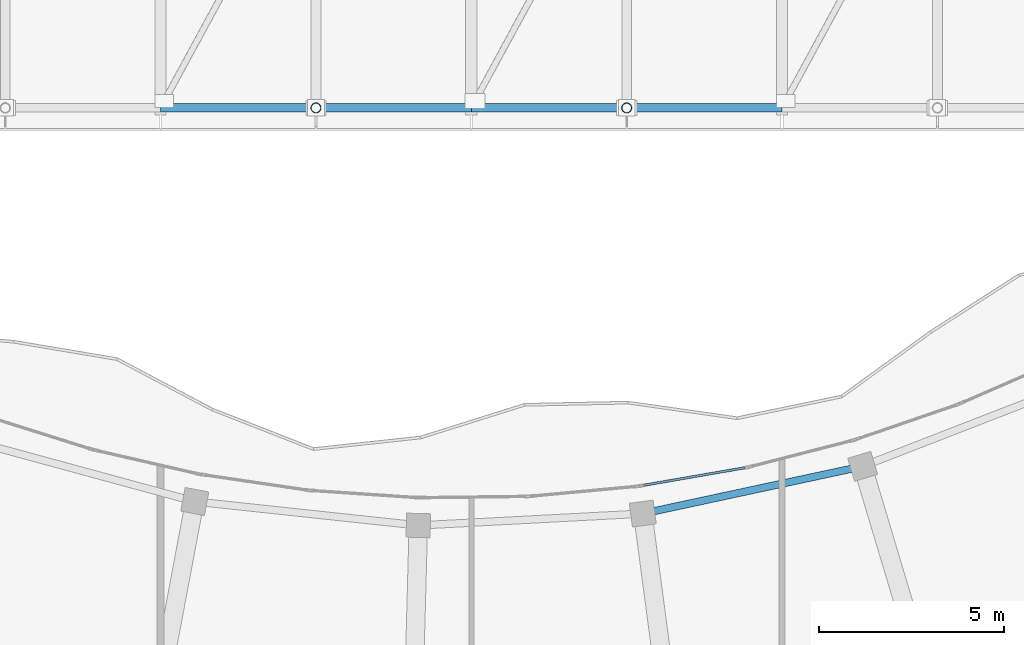
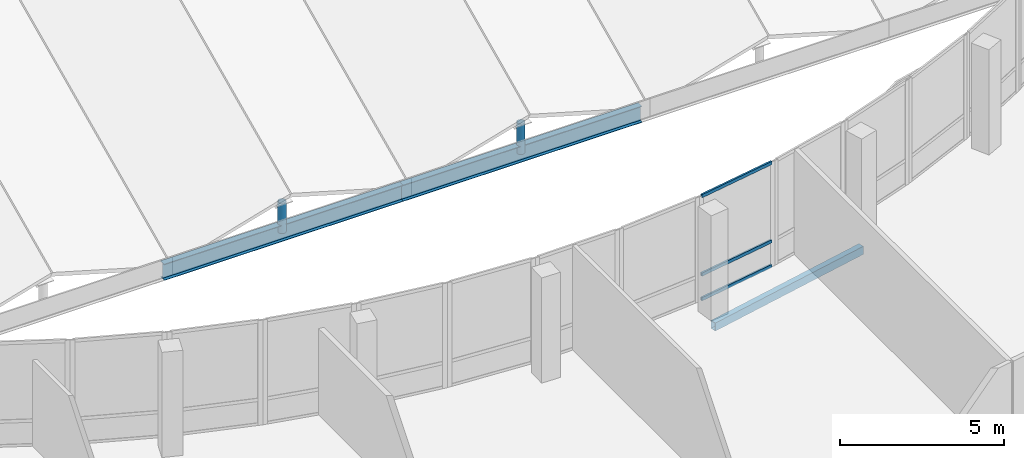
# One storey, part 40 of 184: 5 members, 3 beams, 1 element without a shape of its own.
"""IFC4 building model written with IfcOpenShell, lengths in metres."""

from ifc_helpers import new_model, si_unit, direction, frame, origin, origin_2d, place, context, subcontext, project, spatial, hollow_rectangle, hollow_circle, i_section, extrude, material, material_profile, profile_set, type_object, element, aggregate, save


model = new_model("IFC4")

# Units and contexts
model_context = context("Model", 3, precision=1e-05, world=origin(), true_north=direction((0.0, 1.0)))
body_context = subcontext(model_context, "Body", "Model", "MODEL_VIEW")
ifc_project = project(units=[si_unit("LENGTHUNIT", "METRE"), si_unit("AREAUNIT", "SQUARE_METRE"), si_unit("VOLUMEUNIT", "CUBIC_METRE"), si_unit("PLANEANGLEUNIT", "RADIAN"), si_unit("MASSUNIT", "GRAM", prefix="KILO")], contexts=[model_context])

# Site, building, storey
site_placement = place(None, origin())
site = spatial("IfcSite", under=ifc_project, at=site_placement, CompositionType="ELEMENT")
building_placement = place(site_placement, origin())
building = spatial("IfcBuilding", under=site, at=building_placement, Name="Selatvlak General Hospital", CompositionType="ELEMENT")
storey_placement = place(building_placement, frame((0.0, 0.0, 15.0)))
storey = spatial("IfcBuildingStorey", under=building, at=storey_placement, Name="L03", CompositionType="ELEMENT", Elevation=15.0)

# Beams
ifc_material_1 = material(Name="Steel S355", Category="steel")
ifc_material_profile_1 = material_profile(ifc_material_1, i_section(OverallWidth=0.228271484375, OverallDepth=0.607666015625, WebThickness=0.010986328125, FlangeThickness=0.017333984375, at=origin_2d()), Name="UB 610x229x113")
ifc_profile_set_1 = profile_set([ifc_material_profile_1], Name="Steel S355")
beam_type_1 = type_object("IfcBeamType", Name="BM-RF4", PredefinedType="BEAM", material=ifc_profile_set_1)
beam_1_placement = place(storey_placement, frame((48.0, 52.550048828125, -0.529052734375), z_axis=(1.0, 0.0, 0.0), x_axis=(0.0, 1.0, 0.0)))
element("IfcBeam", 1, at=beam_1_placement, inside=storey, type_object=beam_type_1, Name="Folded roof S valley girder 4", PredefinedType="BEAM", context=body_context, shape_type="SweptSolid", body=[
    extrude(i_section(OverallWidth=0.228271484375, OverallDepth=0.607666015625, WebThickness=0.010986328125, FlangeThickness=0.017333984375, at=origin_2d()), origin(), (0.0, 0.0, 1.0), 8.39990234375),
])
beam_2_placement = place(storey_placement, frame((56.39990234375, 52.550048828125, -0.529052734375), z_axis=(1.0, 0.0, 0.0), x_axis=(0.0, 1.0, 0.0)))
element("IfcBeam", 2, at=beam_2_placement, inside=storey, type_object=beam_type_1, Name="Folded roof S valley girder 5", PredefinedType="BEAM", context=body_context, shape_type="SweptSolid", body=[
    extrude(i_section(OverallWidth=0.228271484375, OverallDepth=0.607666015625, WebThickness=0.010986328125, FlangeThickness=0.017333984375, at=origin_2d()), origin(), (0.0, 0.0, 1.0), 8.400146484375),
])
ifc_material_profile_2 = material_profile(ifc_material_1, hollow_rectangle(XDim=0.199951171875, YDim=0.300048828125, WallThickness=0.011962890625, at=origin_2d()), Name="RHS 300x200x12")
ifc_profile_set_2 = profile_set([ifc_material_profile_2], Name="Steel S355")
beam_type_2 = type_object("IfcBeamType", Name="BM-SP3", PredefinedType="SPANDREL", material=ifc_profile_set_2)
beam_3_placement = place(storey_placement, frame((61.034912109375, 41.5830078125, -0.489990234375), z_axis=(0.977655854443, 0.210211869964, 0.0), x_axis=(-0.210211869964, 0.977655854443, 0.0)))
element("IfcBeam", 3, at=beam_3_placement, inside=storey, type_object=beam_type_2, Name="Beam BMR-L03-1480", PredefinedType="SPANDREL", context=body_context, shape_type="SweptSolid", body=[
    extrude(hollow_rectangle(XDim=0.199951171875, YDim=0.300048828125, WallThickness=0.011962890625, at=origin_2d()), origin(), (0.0, 0.0, 1.0), 6.079833984375),
])

# Curtain wall, members
ifc_material_2 = material(Name="Solar-control Low-E double glazing", Category="glass")
curtain_wall_type = type_object("IfcCurtainWallType", Name="CW-CW-02", PredefinedType="USERDEFINED", material=ifc_material_2)
curtain_wall_placement = place(storey_placement, origin())
curtain_wall = element("IfcCurtainWall", 4, at=curtain_wall_placement, inside=storey, type_object=curtain_wall_type, Name="Glazed facade curtain wall CW-L03-0452", ObjectType="UNITISED CURTAIN WALL", PredefinedType="USERDEFINED")
ifc_material_3 = material(Name="Dark anodised aluminium mullion", Category="aluminium")
ifc_material_profile_3 = material_profile(ifc_material_3, hollow_rectangle(XDim=0.06494140625, YDim=0.1201171875, WallThickness=0.00390625, at=origin_2d()), Name="AL-TRN 65x120x4")
ifc_profile_set_3 = profile_set([ifc_material_profile_3], Name="Dark anodised aluminium mullion")
member_type_1 = type_object("IfcMemberType", Name="CWT-01", PredefinedType="USERDEFINED", material=ifc_profile_set_3)
member_1_placement = place(storey_placement, frame((61.06201171875, 42.34912109375, 0.032470703125), z_axis=(0.985326006405, 0.170682925631, 0.0), x_axis=(-0.170682925631, 0.985326006405, 0.0)))
member_1 = element("IfcMember", 5, at=member_1_placement, type_object=member_type_1, Name="CW-02 transom 1.1", ObjectType="TRANSOM", PredefinedType="USERDEFINED", context=body_context, shape_type="SweptSolid", body=[
    extrude(hollow_rectangle(XDim=0.06494140625, YDim=0.1201171875, WallThickness=0.00390625, at=origin_2d()), origin(), (0.0, 0.0, 1.0), 2.770751953125),
])
member_2_placement = place(storey_placement, frame((61.06201171875, 42.34912109375, 0.949951171875), z_axis=(0.985326006405, 0.170682925631, 0.0), x_axis=(-0.170682925631, 0.985326006405, 0.0)))
member_2 = element("IfcMember", 6, at=member_2_placement, type_object=member_type_1, Name="CW-02 transom 1.2", ObjectType="TRANSOM", PredefinedType="USERDEFINED", context=body_context, shape_type="SweptSolid", body=[
    extrude(hollow_rectangle(XDim=0.06494140625, YDim=0.1201171875, WallThickness=0.00390625, at=origin_2d()), origin(), (0.0, 0.0, 1.0), 2.770751953125),
])
member_3_placement = place(storey_placement, frame((61.06201171875, 42.34912109375, 3.862548828125), z_axis=(0.985326006405, 0.170682925631, 0.0), x_axis=(-0.170682925631, 0.985326006405, 0.0)))
member_3 = element("IfcMember", 7, at=member_3_placement, type_object=member_type_1, Name="CW-02 transom 1.3", ObjectType="TRANSOM", PredefinedType="USERDEFINED", context=body_context, shape_type="SweptSolid", body=[
    extrude(hollow_rectangle(XDim=0.06494140625, YDim=0.1201171875, WallThickness=0.00390625, at=origin_2d()), origin(), (0.0, 0.0, 1.0), 2.770751953125),
])
aggregate(curtain_wall, [member_1, member_2, member_3])

# Members
ifc_material_profile_4 = material_profile(ifc_material_1, hollow_circle(Radius=0.136474609375, WallThickness=0.010009765625, at=origin_2d()), Name="CHS 273.0x10")
ifc_profile_set_4 = profile_set([ifc_material_profile_4], Name="Steel S355")
member_type_2 = type_object("IfcMemberType", Name="MEM-ST1", PredefinedType="STRUT", material=ifc_profile_set_4)
for number, where, z_axis, x_axis, name in (
    (8, (52.199951171875, 52.550048828125, -0.529052734375), (0.0, 0.0, 1.0), (1.0, 0.0, 0.0), "Folded roof ridge kingpost S-7"),
    (9, (60.60009765625, 52.550048828125, -0.529052734375), (0.0, 0.0, 1.0), (1.0, 0.0, 0.0), "Folded roof ridge kingpost S-9"),
):
    element("IfcMember", number, at=place(storey_placement, frame(where, z_axis=z_axis, x_axis=x_axis)), inside=storey, type_object=member_type_2, Name=name, PredefinedType="STRUT", context=body_context, shape_type="SweptSolid", body=[
        extrude(hollow_circle(Radius=0.136474609375, WallThickness=0.010009765625, at=origin_2d()), origin(), (0.0, 0.0, 1.0), 1.123046875),
    ])

save(model, "model.ifc")
